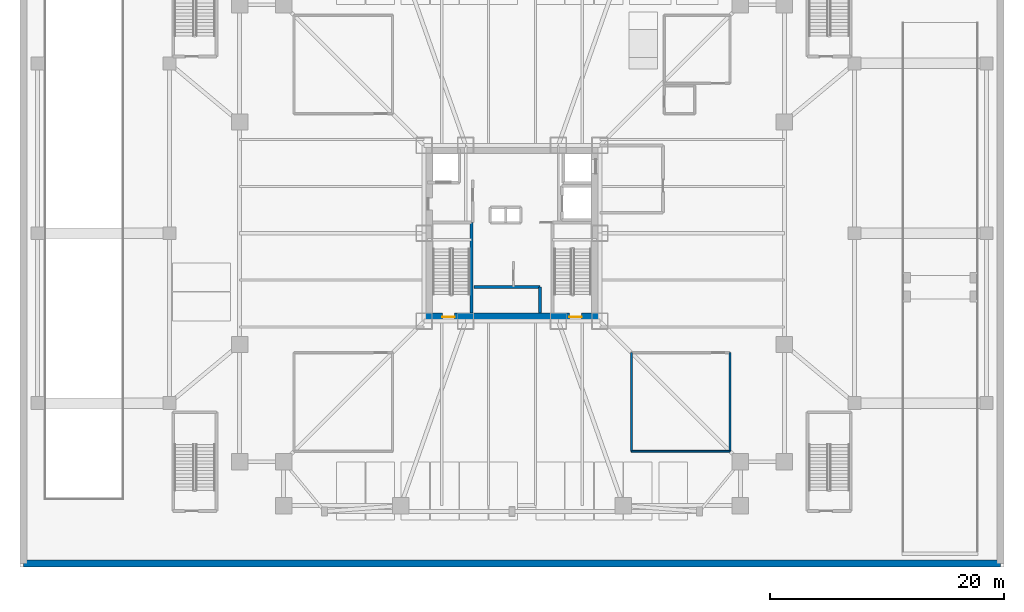
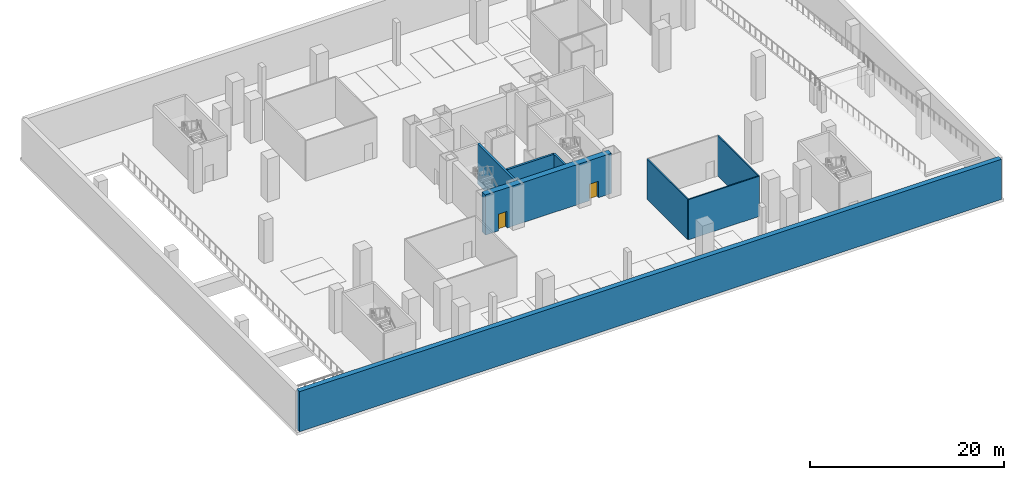
# One storey, part 4 of 14: 8 walls, 2 doors, 2 openings.
"""IFC4 building model written with IfcOpenShell, lengths in metres."""

from ifc_helpers import new_model, si_unit, direction, frame, frame_2d, origin, place, context, subcontext, project, spatial, rectangle, extrude, material, layer, layer_set, type_object, element, fill, save


model = new_model("IFC4")

# Units and contexts
model_context = context("Model", 3, precision=1e-05, world=origin(), true_north=direction((0.0, 1.0)))
body_context = subcontext(model_context, "Body", "Model", "MODEL_VIEW")
ifc_project = project(units=[si_unit("LENGTHUNIT", "METRE"), si_unit("AREAUNIT", "SQUARE_METRE"), si_unit("VOLUMEUNIT", "CUBIC_METRE"), si_unit("PLANEANGLEUNIT", "RADIAN"), si_unit("MASSUNIT", "GRAM", prefix="KILO")], contexts=[model_context])

# Site, building, storey
site_placement = place(None, origin())
site = spatial("IfcSite", under=ifc_project, at=site_placement, CompositionType="ELEMENT")
building_placement = place(site_placement, origin())
building = spatial("IfcBuilding", under=site, at=building_placement, Name="Trevonay Congress Spire", CompositionType="ELEMENT")
storey_placement = place(building_placement, frame((0.0, 0.0, -5.39990234375)))
storey = spatial("IfcBuildingStorey", under=building, at=storey_placement, Name="B1", CompositionType="ELEMENT", Elevation=-5.39990234375)

# Wall, openings, doors
ifc_material_1 = material(Name="Concrete C60/75", Category="concrete")
ifc_layer_1 = layer(ifc_material_1, 0.699951171875, Name="Concrete C60/75")
ifc_layer_set_1 = layer_set([ifc_layer_1], Name="Concrete C60/75")
wall_type_1 = type_object("IfcWallType", Name="WAL-CORE-700", PredefinedType="SHEAR", material=ifc_layer_set_1)
wall_1_placement = place(storey_placement, frame((-7.5, -7.14990234375, 0.0), z_axis=(0.0, 0.0, 1.0), x_axis=(1.0, 0.0, 0.0)))
wall_1 = element("IfcWall", 1, at=wall_1_placement, inside=storey, type_object=wall_type_1, Name="B1 South structural core shear wall", PredefinedType="SHEAR", context=body_context, shape_type="SweptSolid", body=[
    extrude(rectangle(XDim=15.0, YDim=0.699951171875, at=frame_2d((7.5, 0.0))), origin(), (0.0, 0.0, 1.0), 5.0498046875),
])
opening_1_placement = place(wall_1_placement, frame((1.550048828125, 0.0, 0.0)))
opening_1 = element("IfcOpeningElement", 2, at=opening_1_placement, cuts=wall_1, Name="Opening D05", PredefinedType="OPENING", context=body_context, shape_type="SweptSolid", body=[
    extrude(rectangle(XDim=1.050048828125, YDim=2.080078125, at=frame_2d((0.52490234375, 1.0400390625))), frame((0.0, 0.35986328125, 0.0), z_axis=(0.0, -1.0, 0.0), x_axis=(1.0, 0.0, 0.0)), (0.0, 0.0, 1.0), 0.719970703125),
])
opening_2_placement = place(wall_1_placement, frame((12.39990234375, 0.0, 0.0)))
opening_2 = element("IfcOpeningElement", 3, at=opening_2_placement, cuts=wall_1, Name="Opening D05", PredefinedType="OPENING", context=body_context, shape_type="SweptSolid", body=[
    extrude(rectangle(XDim=1.050048828125, YDim=2.080078125, at=frame_2d((0.52490234375, 1.0400390625))), frame((0.0, 0.35986328125, 0.0), z_axis=(0.0, -1.0, 0.0), x_axis=(1.0, 0.0, 0.0)), (0.0, 0.0, 1.0), 0.719970703125),
])
ifc_material_2 = material(Name="Steel ASTM A572 Grade 50", Category="steel")
door_type = type_object("IfcDoorType", Name="DOR-STAIR-110", OperationType="NOTDEFINED", PredefinedType="DOOR", material=ifc_material_2)
door_1_placement = place(opening_1_placement, origin())
door_1 = element("IfcDoor", 4, at=door_1_placement, inside=storey, type_object=door_type, Name="B1 Protected Stair ST-1 Door", OperationType="SINGLE_SWING_LEFT", OverallHeight=2.080078125, OverallWidth=1.050048828125, PredefinedType="DOOR", context=body_context, shape_type="SweptSolid", body=[
    extrude(rectangle(XDim=1.050048828125, YDim=2.080078125, at=frame_2d((0.52490234375, 1.0400390625))), frame((0.0, 0.02490234375, 0.0), z_axis=(0.0, -1.0, 0.0), x_axis=(1.0, 0.0, 0.0)), (0.0, 0.0, 1.0), 0.050048828125),
])
fill(opening_1, door_1)
door_2_placement = place(opening_2_placement, origin())
door_2 = element("IfcDoor", 5, at=door_2_placement, inside=storey, type_object=door_type, Name="B1 Protected Stair ST-2 Door", OperationType="SINGLE_SWING_RIGHT", OverallHeight=2.080078125, OverallWidth=1.050048828125, PredefinedType="DOOR", context=body_context, shape_type="SweptSolid", body=[
    extrude(rectangle(XDim=1.050048828125, YDim=2.080078125, at=frame_2d((0.52490234375, 1.0400390625))), frame((0.0, 0.02490234375, 0.0), z_axis=(0.0, -1.0, 0.0), x_axis=(1.0, 0.0, 0.0)), (0.0, 0.0, 1.0), 0.050048828125),
])
fill(opening_2, door_2)

# Walls
ifc_material_3 = material(Name="Concrete C40/50", Category="concrete")
ifc_layer_2 = layer(ifc_material_3, 0.14990234375, Name="Concrete C40/50")
ifc_layer_set_2 = layer_set([ifc_layer_2], Name="Concrete C40/50")
wall_type_2 = type_object("IfcWallType", Name="WAL-PART-150", PredefinedType="PARTITIONING", material=ifc_layer_set_2)
for number, where, z_axis, x_axis, name in (
    (6, (10.199951171875, -18.60009765625, 0.0), (0.0, 0.0, 1.0), (1.0, 0.0, 0.0), "B1 interior wall WB-B103-S"),
    (7, (10.199951171875, -18.60009765625, 0.0), (0.0, 0.0, 1.0), (0.0, 1.0, 0.0), "B1 interior wall WB-B103-W"),
    (8, (18.60009765625, -18.60009765625, 0.0), (0.0, 0.0, 1.0), (0.0, 1.0, 0.0), "B1 interior wall WB-B103-E"),
):
    element("IfcWall", number, at=place(storey_placement, frame(where, z_axis=z_axis, x_axis=x_axis)), inside=storey, type_object=wall_type_2, Name=name, PredefinedType="PARTITIONING", context=body_context, shape_type="SweptSolid", body=[
        extrude(rectangle(XDim=8.400146484375, YDim=0.14990234375, at=frame_2d((4.2001953125, 0.0))), origin(), (0.0, 0.0, 1.0), 5.0498046875),
    ])
ifc_material_4 = material(Name="Concrete C50/60", Category="concrete")
ifc_layer_3 = layer(ifc_material_4, 0.60009765625, Name="Concrete C50/60")
ifc_layer_set_3 = layer_set([ifc_layer_3], Name="Concrete C50/60")
wall_type_3 = type_object("IfcWallType", Name="WAL-RETAIN-600", PredefinedType="USERDEFINED", material=ifc_layer_set_3)
wall_2_placement = place(storey_placement, frame((-41.699951171875, -28.199951171875, 0.0), z_axis=(0.0, 0.0, 1.0), x_axis=(1.0, 0.0, 0.0)))
element("IfcWall", 9, at=wall_2_placement, inside=storey, type_object=wall_type_3, Name="B1 S perimeter concrete diaphragm retaining wall", ObjectType="RETAININGWALL", PredefinedType="USERDEFINED", context=body_context, shape_type="SweptSolid", body=[
    extrude(rectangle(XDim=83.39990234375, YDim=0.60009765625, at=frame_2d((41.699951171875, 0.0))), origin(), (0.0, 0.0, 1.0), 5.0498046875),
])
ifc_layer_4 = layer(ifc_material_3, 0.25, Name="Concrete C40/50")
ifc_layer_set_4 = layer_set([ifc_layer_4], Name="Concrete C40/50")
wall_type_4 = type_object("IfcWallType", Name="WAL-SHAFT-250", PredefinedType="SHEAR", material=ifc_layer_set_4)
wall_3_placement = place(storey_placement, frame((-3.260009765625, -4.580078125, 0.0), z_axis=(0.0, 0.0, 1.0), x_axis=(1.0, 0.0, 0.0)))
element("IfcWall", 10, at=wall_3_placement, inside=storey, type_object=wall_type_4, Name="B1 interior shaft wall WSH-B1-B1-N", PredefinedType="SHEAR", context=body_context, shape_type="SweptSolid", body=[
    extrude(rectangle(XDim=5.639892578125, YDim=0.25, at=frame_2d((2.81982421875, 0.0))), origin(), (0.0, 0.0, 1.0), 5.0498046875),
])
wall_4_placement = place(storey_placement, frame((2.3798828125, -6.800048828125, 0.0), z_axis=(0.0, 0.0, 1.0), x_axis=(0.0, 1.0, 0.0)))
element("IfcWall", 11, at=wall_4_placement, inside=storey, type_object=wall_type_4, Name="B1 interior shaft wall WSH-B1-B1-E", PredefinedType="SHEAR", context=body_context, shape_type="SweptSolid", body=[
    extrude(rectangle(XDim=2.219970703125, YDim=0.25, at=frame_2d((1.10986328125, 0.0))), origin(), (0.0, 0.0, 1.0), 5.0498046875),
])
ifc_layer_5 = layer(ifc_material_3, 0.25, Name="Concrete C40/50")
ifc_layer_set_5 = layer_set([ifc_layer_5], Name="Concrete C40/50")
wall_type_5 = type_object("IfcWallType", Name="WAL-SHAFT-LB-250", PredefinedType="SHEAR", material=ifc_layer_set_5)
wall_5_placement = place(storey_placement, frame((-3.469970703125, -6.800048828125, 0.0), z_axis=(0.0, 0.0, 1.0), x_axis=(0.0, 1.0, 0.0)))
element("IfcWall", 12, at=wall_5_placement, inside=storey, type_object=wall_type_5, Name="B1 interior shaft wall WSH-B1-ST1-E", PredefinedType="SHEAR", context=body_context, shape_type="SweptSolid", body=[
    extrude(rectangle(XDim=7.719970703125, YDim=0.25, at=frame_2d((3.85986328125, 0.0))), origin(), (0.0, 0.0, 1.0), 5.0498046875),
])

save(model, "model.ifc")
